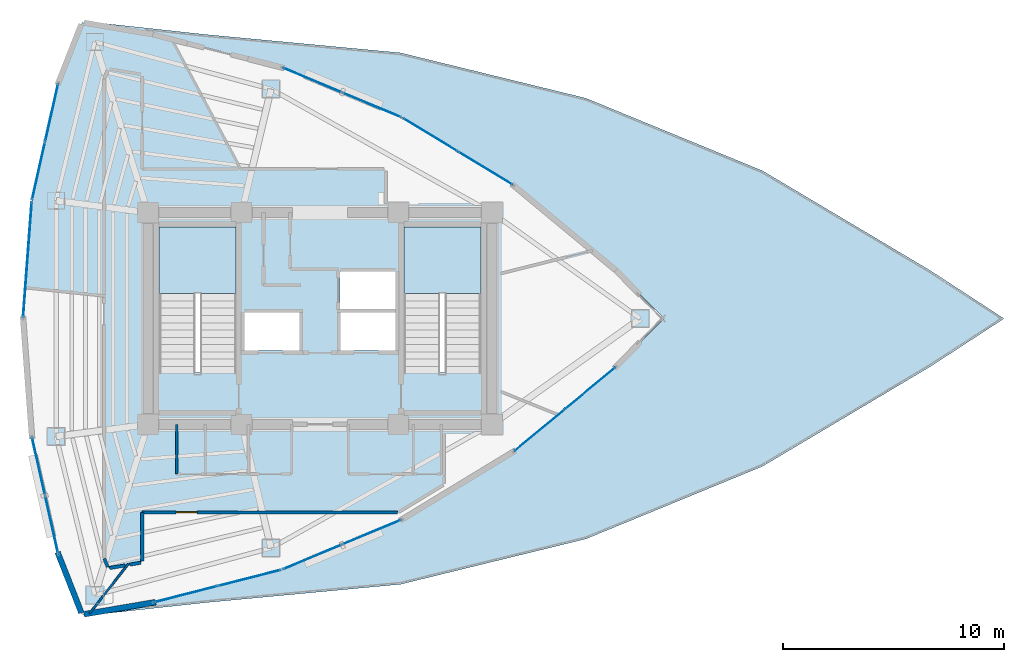
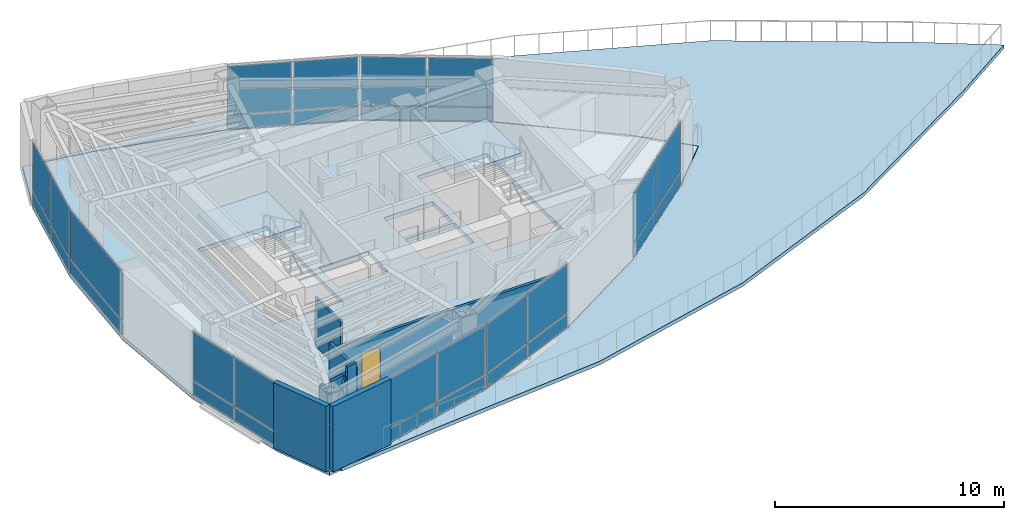
# One storey, part 11 of 16: 30 plates, 9 walls, 4 slabs, 1 door, 1 opening, 10 elements without a shape of their own.
"""IFC4 building model written with IfcOpenShell, lengths in metres."""

import ifcopenshell
import ifcopenshell.guid

model = None  # the IFC model being written
_history = None  # IfcOwnerHistory: only IFC2X3 demands one
_inside = {}  # id of a spatial element -> (the spatial element, [elements in it])
_under = {}  # id of a project, library or spatial element -> (it, [spatial elements below it])
_declared = {}  # id of a project -> (the project, [libraries it declares])
_typed = {}  # id of a type object -> (the type object, [elements of that type])
_made_of = {}  # id of a material, layer set ... -> (it, [elements and type objects made of it])


def new_model(schema):
    """Start an empty IFC model of exactly this schema.

    Asked for "IFC4X3", IfcOpenShell would pick the latest addendum, in which some entities
    have other attributes; the version numbers below select the first issue.
    IFC2X3 requires an IfcOwnerHistory on every rooted entity: one is made here for all.
    """
    global model, _history
    if schema == "IFC4X3":
        model = ifcopenshell.file(schema_version=(4, 3, 0, 0))
    else:
        model = ifcopenshell.file(schema=schema)
    _inside.clear()
    _under.clear()
    _declared.clear()
    _typed.clear()
    _made_of.clear()
    _history = None
    if model.schema == "IFC2X3":
        org = make("IfcOrganization", Name="unknown")
        user = make(
            "IfcPersonAndOrganization",
            ThePerson=make("IfcPerson", FamilyName="unknown"),
            TheOrganization=org,
        )
        app = make(
            "IfcApplication",
            ApplicationDeveloper=org,
            Version="unknown",
            ApplicationFullName="unknown",
            ApplicationIdentifier="unknown",
        )
        _history = make(
            "IfcOwnerHistory",
            OwningUser=user,
            OwningApplication=app,
            ChangeAction="ADDED",
            CreationDate=0,
        )
    return model


def make(cls, **values):
    """One entity of the class cls with the attributes given. An attribute that is None is left unset."""
    return model.create_entity(
        cls, **{name: value for name, value in values.items() if value is not None}
    )


def rooted(cls, **values):
    """An entity with a GlobalId (a new one), such as an element, a storey or a relation."""
    return make(cls, GlobalId=ifcopenshell.guid.new(), OwnerHistory=_history, **values)


def si_unit(unit_type, name, prefix=None):
    """IfcSIUnit, for example si_unit("LENGTHUNIT", "METRE", prefix="MILLI")."""
    return make("IfcSIUnit", UnitType=unit_type, Prefix=prefix, Name=name)


def assignment(units):
    """IfcUnitAssignment: the units of a project."""
    return None if units is None else make("IfcUnitAssignment", Units=units)


def point(xyz):
    """IfcCartesianPoint."""
    return None if xyz is None else make("IfcCartesianPoint", Coordinates=xyz)


def direction(xyz):
    """IfcDirection."""
    return None if xyz is None else make("IfcDirection", DirectionRatios=xyz)


def frame(location, z_axis=None, x_axis=None):
    """IfcAxis2Placement3D, a coordinate frame: its origin and axes. An axis left out is left unset."""
    return make(
        "IfcAxis2Placement3D",
        Location=point(location),
        Axis=direction(z_axis),
        RefDirection=direction(x_axis),
    )


def frame_2d(location, x_axis=None):
    """IfcAxis2Placement2D, a coordinate frame in the plane: its origin and x axis."""
    return make(
        "IfcAxis2Placement2D", Location=point(location), RefDirection=direction(x_axis)
    )


def origin():
    """The frame at (0, 0, 0) with its axes left unset."""
    return frame((0.0, 0.0, 0.0))


def origin_2d():
    """The frame at (0, 0) in the plane with its x axis left unset."""
    return frame_2d((0.0, 0.0))


def place(relative_to, where):
    """IfcLocalPlacement: puts the frame where relative to a parent placement (None: the world)."""
    return make(
        "IfcLocalPlacement", PlacementRelTo=relative_to, RelativePlacement=where
    )


def context(
    kind, dimensions, precision=None, world=None, true_north=None, identifier=None
):
    """IfcGeometricRepresentationContext, for example the 3D "Model" context."""
    return make(
        "IfcGeometricRepresentationContext",
        ContextIdentifier=identifier,
        ContextType=kind,
        CoordinateSpaceDimension=dimensions,
        Precision=precision,
        WorldCoordinateSystem=world,
        TrueNorth=true_north,
    )


def subcontext(parent, identifier, kind, view, scale=None):
    """IfcGeometricRepresentationSubContext, for example "Body" below "Model"."""
    return make(
        "IfcGeometricRepresentationSubContext",
        ContextIdentifier=identifier,
        ContextType=kind,
        ParentContext=parent,
        TargetScale=scale,
        TargetView=view,
    )


def project(units=None, contexts=None):
    """IfcProject with its units and contexts."""
    return rooted(
        "IfcProject",
        Name="project",
        RepresentationContexts=contexts,
        UnitsInContext=assignment(units),
    )


def spatial(cls, under=None, at=None, **own):
    """A site, building, storey or space (cls), placed at a placement, below another one or the project."""
    s = rooted(cls, ObjectPlacement=at, **own)
    if under is not None:
        _under.setdefault(under.id(), (under, []))[1].append(s)
    return s


def polyline(points):
    """IfcPolyline through the points."""
    return make("IfcPolyline", Points=[point(p) for p in points])


def profile(cls, at=None, kind="AREA", **sizes):
    """A parametric profile (cls). Its sizes go by their IFC names, for example OverallWidth=200.0."""
    return make(cls, ProfileType=kind, Position=at, **sizes)


def rectangle(**sizes):
    """IfcRectangleProfileDef."""
    return profile("IfcRectangleProfileDef", **sizes)


def outline(outer, holes=None, kind="AREA"):
    """IfcArbitraryClosedProfileDef: a profile drawn as a closed curve; with holes, ...WithVoids."""
    if holes is None:
        return make("IfcArbitraryClosedProfileDef", ProfileType=kind, OuterCurve=outer)
    return make(
        "IfcArbitraryProfileDefWithVoids",
        ProfileType=kind,
        OuterCurve=outer,
        InnerCurves=holes,
    )


def extrude(swept, where, along, depth):
    """IfcExtrudedAreaSolid: the profile swept, set in the frame where, extruded along a direction by depth."""
    return make(
        "IfcExtrudedAreaSolid",
        SweptArea=swept,
        Position=where,
        ExtrudedDirection=direction(along),
        Depth=depth,
    )


def shape(context_of_items, identifier, shape_type, items):
    """IfcShapeRepresentation: the items that make up one representation, for example the "Body"."""
    return make(
        "IfcShapeRepresentation",
        ContextOfItems=context_of_items,
        RepresentationIdentifier=identifier,
        RepresentationType=shape_type,
        Items=items,
    )


def material(Name=None, Category=None):
    """IfcMaterial."""
    return make("IfcMaterial", Name=Name, Category=Category)


def layer(
    of_material, thickness, ventilated=None, Name=None, Category=None, Priority=None
):
    """IfcMaterialLayer: one layer of a wall or slab, of a material (None: an air gap)."""
    return make(
        "IfcMaterialLayer",
        Material=of_material,
        LayerThickness=thickness,
        IsVentilated=ventilated,
        Name=Name,
        Category=Category,
        Priority=Priority,
    )


def layer_set(layers, Name=None):
    """IfcMaterialLayerSet."""
    return make("IfcMaterialLayerSet", MaterialLayers=layers, LayerSetName=Name)


def made_of(thing, what):
    """Note that an element or type object is made of a material, layer set ...; save() writes the relation."""
    if what is not None:
        _made_of.setdefault(what.id(), (what, []))[1].append(thing)
    return thing


def type_object(cls, material=None, **own):
    """A type object (cls), such as IfcWallType, which elements share."""
    return made_of(rooted(cls, **own), material)


def element(
    cls,
    number,
    at=None,
    inside=None,
    cuts=None,
    type_object=None,
    material=None,
    context=None,
    identifier="Body",
    shape_type=None,
    held_by="IfcProductDefinitionShape",
    body=None,
    shapes=None,
    **own,
):
    """One element of the class cls, such as IfcWall. Its Tag is "e" and its number.

    at: its placement. inside: the storey or other place that contains it. cuts: it is an
    opening in that element (IfcRelVoidsElement). A single representation is given by context,
    identifier, shape_type and body (its items); several are given by shapes. held_by: the class
    of the entity that holds the representations. save() writes the other relations.
    """
    e = rooted(cls, Tag="e%d" % number, ObjectPlacement=at, **own)
    if body is not None:
        shapes = [shape(context, identifier, shape_type, body)]
    if shapes is not None:
        e.Representation = make(held_by, Representations=shapes)
    if inside is not None:
        _inside.setdefault(inside.id(), (inside, []))[1].append(e)
    if cuts is not None:
        rooted(
            "IfcRelVoidsElement", RelatingBuildingElement=cuts, RelatedOpeningElement=e
        )
    if type_object is not None:
        _typed.setdefault(type_object.id(), (type_object, []))[1].append(e)
    return made_of(e, material)


def fill(opening, filler):
    """IfcRelFillsElement: the door or window that sits in an opening."""
    return rooted(
        "IfcRelFillsElement",
        RelatingOpeningElement=opening,
        RelatedBuildingElement=filler,
    )


def aggregate(whole, parts):
    """IfcRelAggregates: a whole, such as a stair, and the parts it consists of."""
    return rooted("IfcRelAggregates", RelatingObject=whole, RelatedObjects=parts)


def save(model, path):
    """Write the relations noted so far, then the file.

    IfcRelAggregates (storeys below a building ...), IfcRelContainedInSpatialStructure (elements
    in a storey), IfcRelDefinesByType, IfcRelAssociatesMaterial and IfcRelDeclares: one each for
    every whole, place, type object, material and project.
    """
    for whole, parts in _under.values():
        aggregate(whole, parts)
    for where, things in _inside.values():
        rooted(
            "IfcRelContainedInSpatialStructure",
            RelatedElements=things,
            RelatingStructure=where,
        )
    for kind, things in _typed.values():
        rooted("IfcRelDefinesByType", RelatedObjects=things, RelatingType=kind)
    for what, things in _made_of.values():
        rooted("IfcRelAssociatesMaterial", RelatedObjects=things, RelatingMaterial=what)
    for by, libraries in _declared.values():
        rooted("IfcRelDeclares", RelatingContext=by, RelatedDefinitions=libraries)
    model.write(path)


model = new_model("IFC4")

# Units and contexts
model_context = context("Model", 3, precision=1e-05, world=origin(), true_north=direction((0.0, 1.0)))
body_context = subcontext(model_context, "Body", "Model", "MODEL_VIEW")
ifc_project = project(units=[si_unit("LENGTHUNIT", "METRE"), si_unit("AREAUNIT", "SQUARE_METRE"), si_unit("VOLUMEUNIT", "CUBIC_METRE"), si_unit("PLANEANGLEUNIT", "RADIAN"), si_unit("MASSUNIT", "GRAM", prefix="KILO")], contexts=[model_context])

# Site, building, storey
site_placement = place(None, origin())
site = spatial("IfcSite", under=ifc_project, at=site_placement, CompositionType="ELEMENT")
building_placement = place(site_placement, origin())
building = spatial("IfcBuilding", under=site, at=building_placement, Name="Menara Vayukalpa", CompositionType="ELEMENT")
storey_placement = place(building_placement, frame((0.0, 0.0, 247.139892578125)))
storey = spatial("IfcBuildingStorey", under=building, at=storey_placement, Name="L62", CompositionType="ELEMENT", Elevation=247.139892578125)

# Curtain wall, plates
ifc_material_1 = material(Name="Anodised Terracotta Aluminium Alloy 6063-T6", Category="masonry")
ifc_layer_1 = layer(ifc_material_1, 0.1650390625)
ifc_layer_set_1 = layer_set([ifc_layer_1], Name="Anodised Terracotta Aluminium Alloy 6063-T6")
curtain_wall_type = type_object("IfcCurtainWallType", Name="CW-CW6", PredefinedType="USERDEFINED", material=ifc_layer_set_1)
curtain_wall_1_placement = place(storey_placement, origin())
curtain_wall_1 = element("IfcCurtainWall", 1, at=curtain_wall_1_placement, inside=storey, type_object=curtain_wall_type, Name="L62 Observation and Executive Curtain Wall CW6 04", ObjectType="UNITISED", PredefinedType="USERDEFINED")
ifc_material_2 = material(Name="Low-E Double Glazing", Category="glass")
ifc_layer_2 = layer(ifc_material_2, 0.033935546875)
ifc_layer_set_2 = layer_set([ifc_layer_2], Name="Low-E Double Glazing")
plate_type = type_object("IfcPlateType", Name="CWP-CW6", PredefinedType="CURTAIN_PANEL", material=ifc_layer_set_2)
plate_1_placement = place(storey_placement, frame((33.102783203125, 28.814208984375, 0.0751953125), z_axis=(0.0, 0.0, 1.0), x_axis=(-0.854667609532, 0.519175574558, 0.0)))
plate_1 = element("IfcPlate", 2, at=plate_1_placement, type_object=plate_type, Name="CW6 panel 1.1", PredefinedType="CURTAIN_PANEL", context=body_context, shape_type="SweptSolid", body=[
    extrude(rectangle(XDim=2.8486328125, YDim=0.033935546875, at=origin_2d()), origin(), (0.0, 0.0, 1.0), 0.6875),
])
plate_2_placement = place(storey_placement, frame((33.102783203125, 28.814208984375, 0.837646484375), z_axis=(0.0, 0.0, 1.0), x_axis=(-0.854667609532, 0.519175574558, 0.0)))
plate_2 = element("IfcPlate", 3, at=plate_2_placement, type_object=plate_type, Name="CW6 panel 1.2", PredefinedType="CURTAIN_PANEL", context=body_context, shape_type="SweptSolid", body=[
    extrude(rectangle(XDim=2.8486328125, YDim=0.033935546875, at=origin_2d()), origin(), (0.0, 0.0, 1.0), 2.58740234375),
])
plate_3_placement = place(storey_placement, frame((30.608154296875, 30.329345703125, 0.0751953125), z_axis=(0.0, 0.0, 1.0), x_axis=(-0.854667609532, 0.519175574558, 0.0)))
plate_3 = element("IfcPlate", 4, at=plate_3_placement, type_object=plate_type, Name="CW6 panel 2.1", PredefinedType="CURTAIN_PANEL", context=body_context, shape_type="SweptSolid", body=[
    extrude(rectangle(XDim=2.8486328125, YDim=0.033935546875, at=origin_2d()), origin(), (0.0, 0.0, 1.0), 0.6875),
])
plate_4_placement = place(storey_placement, frame((30.608154296875, 30.329345703125, 0.837646484375), z_axis=(0.0, 0.0, 1.0), x_axis=(-0.854667609532, 0.519175574558, 0.0)))
plate_4 = element("IfcPlate", 5, at=plate_4_placement, type_object=plate_type, Name="CW6 panel 2.2", PredefinedType="CURTAIN_PANEL", context=body_context, shape_type="SweptSolid", body=[
    extrude(rectangle(XDim=2.8486328125, YDim=0.033935546875, at=origin_2d()), origin(), (0.0, 0.0, 1.0), 2.58740234375),
])
aggregate(curtain_wall_1, [plate_1, plate_2, plate_3, plate_4])

curtain_wall_2_placement = place(storey_placement, origin())
curtain_wall_2 = element("IfcCurtainWall", 6, at=curtain_wall_2_placement, inside=storey, type_object=curtain_wall_type, Name="L62 Observation and Executive Curtain Wall CW6 05", ObjectType="UNITISED", PredefinedType="USERDEFINED")
plate_5_placement = place(storey_placement, frame((27.952392578125, 31.681884765625, 0.0751953125), z_axis=(0.0, 0.0, 1.0), x_axis=(-0.922540653927, 0.385899911703, 0.0)))
plate_5 = element("IfcPlate", 7, at=plate_5_placement, type_object=plate_type, Name="CW6 panel 1.1", PredefinedType="CURTAIN_PANEL", context=body_context, shape_type="SweptSolid", body=[
    extrude(rectangle(XDim=2.8486328125, YDim=0.033935546875, at=origin_2d()), origin(), (0.0, 0.0, 1.0), 0.6875),
])
plate_6_placement = place(storey_placement, frame((27.952392578125, 31.681884765625, 0.837646484375), z_axis=(0.0, 0.0, 1.0), x_axis=(-0.922540653927, 0.385899911703, 0.0)))
plate_6 = element("IfcPlate", 8, at=plate_6_placement, type_object=plate_type, Name="CW6 panel 1.2", PredefinedType="CURTAIN_PANEL", context=body_context, shape_type="SweptSolid", body=[
    extrude(rectangle(XDim=2.8486328125, YDim=0.033935546875, at=origin_2d()), origin(), (0.0, 0.0, 1.0), 2.58740234375),
])
plate_7_placement = place(storey_placement, frame((25.259765625, 32.808349609375, 0.0751953125), z_axis=(0.0, 0.0, 1.0), x_axis=(-0.922540653927, 0.385899911703, 0.0)))
plate_7 = element("IfcPlate", 9, at=plate_7_placement, type_object=plate_type, Name="CW6 panel 2.1", PredefinedType="CURTAIN_PANEL", context=body_context, shape_type="SweptSolid", body=[
    extrude(rectangle(XDim=2.8486328125, YDim=0.033935546875, at=origin_2d()), origin(), (0.0, 0.0, 1.0), 0.6875),
])
plate_8_placement = place(storey_placement, frame((25.259765625, 32.808349609375, 0.837646484375), z_axis=(0.0, 0.0, 1.0), x_axis=(-0.922540653927, 0.385899911703, 0.0)))
plate_8 = element("IfcPlate", 10, at=plate_8_placement, type_object=plate_type, Name="CW6 panel 2.2", PredefinedType="CURTAIN_PANEL", context=body_context, shape_type="SweptSolid", body=[
    extrude(rectangle(XDim=2.8486328125, YDim=0.033935546875, at=origin_2d()), origin(), (0.0, 0.0, 1.0), 2.58740234375),
])
aggregate(curtain_wall_2, [plate_5, plate_6, plate_7, plate_8])

curtain_wall_3_placement = place(storey_placement, origin())
curtain_wall_3 = element("IfcCurtainWall", 11, at=curtain_wall_3_placement, inside=storey, type_object=curtain_wall_type, Name="L62 Observation and Executive Curtain Wall CW6 10", ObjectType="UNITISED", PredefinedType="USERDEFINED")
plate_9_placement = place(storey_placement, frame((13.4375, 31.339599609375, 0.0751953125), z_axis=(0.0, 0.0, 1.0), x_axis=(-0.21951480033, -0.975609169922, 0.0)))
plate_9 = element("IfcPlate", 12, at=plate_9_placement, type_object=plate_type, Name="CW6 panel 1.1", PredefinedType="CURTAIN_PANEL", context=body_context, shape_type="SweptSolid", body=[
    extrude(rectangle(XDim=2.63525390625, YDim=0.033935546875, at=origin_2d()), origin(), (0.0, 0.0, 1.0), 0.6875),
])
plate_10_placement = place(storey_placement, frame((13.4375, 31.339599609375, 0.837646484375), z_axis=(0.0, 0.0, 1.0), x_axis=(-0.21951480033, -0.975609169922, 0.0)))
plate_10 = element("IfcPlate", 13, at=plate_10_placement, type_object=plate_type, Name="CW6 panel 1.2", PredefinedType="CURTAIN_PANEL", context=body_context, shape_type="SweptSolid", body=[
    extrude(rectangle(XDim=2.63525390625, YDim=0.033935546875, at=origin_2d()), origin(), (0.0, 0.0, 1.0), 2.58740234375),
])
plate_11_placement = place(storey_placement, frame((12.843505859375, 28.700439453125, 0.0751953125), z_axis=(0.0, 0.0, 1.0), x_axis=(-0.21951480033, -0.975609169922, 0.0)))
plate_11 = element("IfcPlate", 14, at=plate_11_placement, type_object=plate_type, Name="CW6 panel 2.1", PredefinedType="CURTAIN_PANEL", context=body_context, shape_type="SweptSolid", body=[
    extrude(rectangle(XDim=2.63525390625, YDim=0.033935546875, at=origin_2d()), origin(), (0.0, 0.0, 1.0), 0.6875),
])
plate_12_placement = place(storey_placement, frame((12.843505859375, 28.700439453125, 0.837646484375), z_axis=(0.0, 0.0, 1.0), x_axis=(-0.21951480033, -0.975609169922, 0.0)))
plate_12 = element("IfcPlate", 15, at=plate_12_placement, type_object=plate_type, Name="CW6 panel 2.2", PredefinedType="CURTAIN_PANEL", context=body_context, shape_type="SweptSolid", body=[
    extrude(rectangle(XDim=2.63525390625, YDim=0.033935546875, at=origin_2d()), origin(), (0.0, 0.0, 1.0), 2.58740234375),
])
aggregate(curtain_wall_3, [plate_9, plate_10, plate_11, plate_12])

curtain_wall_4_placement = place(storey_placement, origin())
curtain_wall_4 = element("IfcCurtainWall", 16, at=curtain_wall_4_placement, inside=storey, type_object=curtain_wall_type, Name="L62 Observation and Executive Curtain Wall CW6 11", ObjectType="UNITISED", PredefinedType="USERDEFINED")
plate_13_placement = place(storey_placement, frame((12.33837890625, 24.67333984375, 0.0751953125), z_axis=(0.0, 0.0, 1.0), x_axis=(-0.074789484574, -0.997199344663, 0.0)))
plate_13 = element("IfcPlate", 17, at=plate_13_placement, type_object=plate_type, Name="CW6 panel 1.1", PredefinedType="CURTAIN_PANEL", context=body_context, shape_type="SweptSolid", body=[
    extrude(rectangle(XDim=5.2216796875, YDim=0.033935546875, at=origin_2d()), origin(), (0.0, 0.0, 1.0), 0.6875),
])
plate_14_placement = place(storey_placement, frame((12.33837890625, 24.67333984375, 0.837646484375), z_axis=(0.0, 0.0, 1.0), x_axis=(-0.074789484574, -0.997199344663, 0.0)))
plate_14 = element("IfcPlate", 18, at=plate_14_placement, type_object=plate_type, Name="CW6 panel 1.2", PredefinedType="CURTAIN_PANEL", context=body_context, shape_type="SweptSolid", body=[
    extrude(rectangle(XDim=5.2216796875, YDim=0.033935546875, at=origin_2d()), origin(), (0.0, 0.0, 1.0), 2.58740234375),
])
aggregate(curtain_wall_4, [plate_13, plate_14])

curtain_wall_5_placement = place(storey_placement, origin())
curtain_wall_5 = element("IfcCurtainWall", 19, at=curtain_wall_5_placement, inside=storey, type_object=curtain_wall_type, Name="L62 Observation and Executive Curtain Wall CW6 13", ObjectType="UNITISED", PredefinedType="USERDEFINED")
plate_15_placement = place(storey_placement, frame((12.843505859375, 15.299560546875, 0.0751953125), z_axis=(0.0, 0.0, 1.0), x_axis=(0.21951480033, -0.975609169922, 0.0)))
plate_15 = element("IfcPlate", 20, at=plate_15_placement, type_object=plate_type, Name="CW6 panel 1.1", PredefinedType="CURTAIN_PANEL", context=body_context, shape_type="SweptSolid", body=[
    extrude(rectangle(XDim=2.63525390625, YDim=0.033935546875, at=origin_2d()), origin(), (0.0, 0.0, 1.0), 0.6875),
])
plate_16_placement = place(storey_placement, frame((12.843505859375, 15.299560546875, 0.837646484375), z_axis=(0.0, 0.0, 1.0), x_axis=(0.21951480033, -0.975609169922, 0.0)))
plate_16 = element("IfcPlate", 21, at=plate_16_placement, type_object=plate_type, Name="CW6 panel 1.2", PredefinedType="CURTAIN_PANEL", context=body_context, shape_type="SweptSolid", body=[
    extrude(rectangle(XDim=2.63525390625, YDim=0.033935546875, at=origin_2d()), origin(), (0.0, 0.0, 1.0), 2.58740234375),
])
plate_17_placement = place(storey_placement, frame((13.4375, 12.660400390625, 0.0751953125), z_axis=(0.0, 0.0, 1.0), x_axis=(0.21951480033, -0.975609169922, 0.0)))
plate_17 = element("IfcPlate", 22, at=plate_17_placement, type_object=plate_type, Name="CW6 panel 2.1", PredefinedType="CURTAIN_PANEL", context=body_context, shape_type="SweptSolid", body=[
    extrude(rectangle(XDim=2.63525390625, YDim=0.033935546875, at=origin_2d()), origin(), (0.0, 0.0, 1.0), 0.6875),
])
plate_18_placement = place(storey_placement, frame((13.4375, 12.660400390625, 0.837646484375), z_axis=(0.0, 0.0, 1.0), x_axis=(0.21951480033, -0.975609169922, 0.0)))
plate_18 = element("IfcPlate", 23, at=plate_18_placement, type_object=plate_type, Name="CW6 panel 2.2", PredefinedType="CURTAIN_PANEL", context=body_context, shape_type="SweptSolid", body=[
    extrude(rectangle(XDim=2.63525390625, YDim=0.033935546875, at=origin_2d()), origin(), (0.0, 0.0, 1.0), 2.58740234375),
])
aggregate(curtain_wall_5, [plate_15, plate_16, plate_17, plate_18])

curtain_wall_6_placement = place(storey_placement, origin())
curtain_wall_6 = element("IfcCurtainWall", 24, at=curtain_wall_6_placement, inside=storey, type_object=curtain_wall_type, Name="L62 Observation and Executive Curtain Wall CW6 16", ObjectType="UNITISED", PredefinedType="USERDEFINED")
plate_19_placement = place(storey_placement, frame((19.509765625, 9.500244140625, 0.0751953125), z_axis=(0.0, 0.0, 1.0), x_axis=(0.968983049096, 0.247127195113, 0.0)))
plate_19 = element("IfcPlate", 25, at=plate_19_placement, type_object=plate_type, Name="CW6 panel 1.1", PredefinedType="CURTAIN_PANEL", context=body_context, shape_type="SweptSolid", body=[
    extrude(rectangle(XDim=2.9140625, YDim=0.033935546875, at=origin_2d()), origin(), (0.0, 0.0, 1.0), 0.6875),
])
plate_20_placement = place(storey_placement, frame((19.509765625, 9.500244140625, 0.837646484375), z_axis=(0.0, 0.0, 1.0), x_axis=(0.968983049096, 0.247127195113, 0.0)))
plate_20 = element("IfcPlate", 26, at=plate_20_placement, type_object=plate_type, Name="CW6 panel 1.2", PredefinedType="CURTAIN_PANEL", context=body_context, shape_type="SweptSolid", body=[
    extrude(rectangle(XDim=2.9140625, YDim=0.033935546875, at=origin_2d()), origin(), (0.0, 0.0, 1.0), 2.58740234375),
])
plate_21_placement = place(storey_placement, frame((22.4013671875, 10.237548828125, 0.0751953125), z_axis=(0.0, 0.0, 1.0), x_axis=(0.968983049096, 0.247127195113, 0.0)))
plate_21 = element("IfcPlate", 27, at=plate_21_placement, type_object=plate_type, Name="CW6 panel 2.1", PredefinedType="CURTAIN_PANEL", context=body_context, shape_type="SweptSolid", body=[
    extrude(rectangle(XDim=2.9140625, YDim=0.033935546875, at=origin_2d()), origin(), (0.0, 0.0, 1.0), 0.6875),
])
plate_22_placement = place(storey_placement, frame((22.4013671875, 10.237548828125, 0.837646484375), z_axis=(0.0, 0.0, 1.0), x_axis=(0.968983049096, 0.247127195113, 0.0)))
plate_22 = element("IfcPlate", 28, at=plate_22_placement, type_object=plate_type, Name="CW6 panel 2.2", PredefinedType="CURTAIN_PANEL", context=body_context, shape_type="SweptSolid", body=[
    extrude(rectangle(XDim=2.9140625, YDim=0.033935546875, at=origin_2d()), origin(), (0.0, 0.0, 1.0), 2.58740234375),
])
aggregate(curtain_wall_6, [plate_19, plate_20, plate_21, plate_22])

curtain_wall_7_placement = place(storey_placement, origin())
curtain_wall_7 = element("IfcCurtainWall", 29, at=curtain_wall_7_placement, inside=storey, type_object=curtain_wall_type, Name="L62 Observation and Executive Curtain Wall CW6 17", ObjectType="UNITISED", PredefinedType="USERDEFINED")
plate_23_placement = place(storey_placement, frame((25.259765625, 11.191650390625, 0.0751953125), z_axis=(0.0, 0.0, 1.0), x_axis=(0.922540653927, 0.385899911703, 0.0)))
plate_23 = element("IfcPlate", 30, at=plate_23_placement, type_object=plate_type, Name="CW6 panel 1.1", PredefinedType="CURTAIN_PANEL", context=body_context, shape_type="SweptSolid", body=[
    extrude(rectangle(XDim=2.8486328125, YDim=0.033935546875, at=origin_2d()), origin(), (0.0, 0.0, 1.0), 0.6875),
])
plate_24_placement = place(storey_placement, frame((25.259765625, 11.191650390625, 0.837646484375), z_axis=(0.0, 0.0, 1.0), x_axis=(0.922540653927, 0.385899911703, 0.0)))
plate_24 = element("IfcPlate", 31, at=plate_24_placement, type_object=plate_type, Name="CW6 panel 1.2", PredefinedType="CURTAIN_PANEL", context=body_context, shape_type="SweptSolid", body=[
    extrude(rectangle(XDim=2.8486328125, YDim=0.033935546875, at=origin_2d()), origin(), (0.0, 0.0, 1.0), 2.58740234375),
])
plate_25_placement = place(storey_placement, frame((27.952392578125, 12.318115234375, 0.0751953125), z_axis=(0.0, 0.0, 1.0), x_axis=(0.922540653927, 0.385899911703, 0.0)))
plate_25 = element("IfcPlate", 32, at=plate_25_placement, type_object=plate_type, Name="CW6 panel 2.1", PredefinedType="CURTAIN_PANEL", context=body_context, shape_type="SweptSolid", body=[
    extrude(rectangle(XDim=2.8486328125, YDim=0.033935546875, at=origin_2d()), origin(), (0.0, 0.0, 1.0), 0.6875),
])
plate_26_placement = place(storey_placement, frame((27.952392578125, 12.318115234375, 0.837646484375), z_axis=(0.0, 0.0, 1.0), x_axis=(0.922540653927, 0.385899911703, 0.0)))
plate_26 = element("IfcPlate", 33, at=plate_26_placement, type_object=plate_type, Name="CW6 panel 2.2", PredefinedType="CURTAIN_PANEL", context=body_context, shape_type="SweptSolid", body=[
    extrude(rectangle(XDim=2.8486328125, YDim=0.033935546875, at=origin_2d()), origin(), (0.0, 0.0, 1.0), 2.58740234375),
])
aggregate(curtain_wall_7, [plate_23, plate_24, plate_25, plate_26])

curtain_wall_8_placement = place(storey_placement, origin())
curtain_wall_8 = element("IfcCurtainWall", 34, at=curtain_wall_8_placement, inside=storey, type_object=curtain_wall_type, Name="L62 Observation and Executive Curtain Wall CW6 19", ObjectType="UNITISED", PredefinedType="USERDEFINED")
plate_27_placement = place(storey_placement, frame((35.555419921875, 16.9365234375, 0.0751953125), z_axis=(0.0, 0.0, 1.0), x_axis=(0.769754387758, 0.638340177748, 0.0)))
plate_27 = element("IfcPlate", 35, at=plate_27_placement, type_object=plate_type, Name="CW6 panel 1.1", PredefinedType="CURTAIN_PANEL", context=body_context, shape_type="SweptSolid", body=[
    extrude(rectangle(XDim=2.9140625, YDim=0.033935546875, at=origin_2d()), origin(), (0.0, 0.0, 1.0), 0.6875),
])
plate_28_placement = place(storey_placement, frame((35.555419921875, 16.9365234375, 0.837646484375), z_axis=(0.0, 0.0, 1.0), x_axis=(0.769754387758, 0.638340177748, 0.0)))
plate_28 = element("IfcPlate", 36, at=plate_28_placement, type_object=plate_type, Name="CW6 panel 1.2", PredefinedType="CURTAIN_PANEL", context=body_context, shape_type="SweptSolid", body=[
    extrude(rectangle(XDim=2.9140625, YDim=0.033935546875, at=origin_2d()), origin(), (0.0, 0.0, 1.0), 2.58740234375),
])
plate_29_placement = place(storey_placement, frame((37.852294921875, 18.84130859375, 0.0751953125), z_axis=(0.0, 0.0, 1.0), x_axis=(0.769754387758, 0.638340177748, 0.0)))
plate_29 = element("IfcPlate", 37, at=plate_29_placement, type_object=plate_type, Name="CW6 panel 2.1", PredefinedType="CURTAIN_PANEL", context=body_context, shape_type="SweptSolid", body=[
    extrude(rectangle(XDim=2.9140625, YDim=0.033935546875, at=origin_2d()), origin(), (0.0, 0.0, 1.0), 0.6875),
])
plate_30_placement = place(storey_placement, frame((37.852294921875, 18.84130859375, 0.837646484375), z_axis=(0.0, 0.0, 1.0), x_axis=(0.769754387758, 0.638340177748, 0.0)))
plate_30 = element("IfcPlate", 38, at=plate_30_placement, type_object=plate_type, Name="CW6 panel 2.2", PredefinedType="CURTAIN_PANEL", context=body_context, shape_type="SweptSolid", body=[
    extrude(rectangle(XDim=2.9140625, YDim=0.033935546875, at=origin_2d()), origin(), (0.0, 0.0, 1.0), 2.58740234375),
])
aggregate(curtain_wall_8, [plate_27, plate_28, plate_29, plate_30])

# Slab
ifc_material_3 = material(Name="Concrete C40/50", Category="concrete")
ifc_layer_3 = layer(ifc_material_3, 0.219970703125)
ifc_layer_set_3 = layer_set([ifc_layer_3], Name="Concrete C40/50")
slab_type_1 = type_object("IfcSlabType", Name="SLB-FL220", PredefinedType="FLOOR", material=ifc_layer_set_3)
slab_1_placement = place(storey_placement, frame((0.0, 0.0, -0.219970703125)))
element("IfcSlab", 39, at=slab_1_placement, inside=storey, type_object=slab_type_1, Name="L62 Structural Floor Slab", PredefinedType="FLOOR", context=body_context, shape_type="SweptSolid", body=[
    extrude(outline(polyline([(39.02783203125, 19.816162109375), (41.171875, 22.0), (39.02783203125, 24.183837890625), (34.3798828125, 28.038330078125), (29.3310546875, 31.105224609375), (23.881103515625, 33.385009765625), (18.0302734375, 34.877197265625), (14.814208984375, 35.423095703125), (13.741943359375, 32.693359375), (12.5390625, 27.3466796875), (12.137939453125, 22.0), (12.5390625, 16.6533203125), (13.741943359375, 11.306640625), (14.814208984375, 8.576904296875), (18.0302734375, 9.122802734375), (23.881103515625, 10.614990234375), (29.3310546875, 12.894775390625), (34.3798828125, 15.961669921875), (39.02783203125, 19.816162109375)]), holes=[polyline([(21.800048828125, 19.550048828125), (21.800048828125, 26.14990234375), (18.300048828125, 26.14990234375), (18.300048828125, 19.550048828125), (21.800048828125, 19.550048828125)]), polyline([(32.89990234375, 19.550048828125), (32.89990234375, 26.14990234375), (29.39990234375, 26.14990234375), (29.39990234375, 19.550048828125), (32.89990234375, 19.550048828125)]), polyline([(22.179931640625, 20.550048828125), (24.679931640625, 20.550048828125), (24.679931640625, 22.27001953125), (22.179931640625, 22.27001953125), (22.179931640625, 20.550048828125)]), polyline([(26.52001953125, 20.550048828125), (29.02001953125, 20.550048828125), (29.02001953125, 22.27001953125), (26.52001953125, 22.27001953125), (26.52001953125, 20.550048828125)]), polyline([(26.52001953125, 22.419921875), (29.02001953125, 22.419921875), (29.02001953125, 24.139892578125), (26.52001953125, 24.139892578125), (26.52001953125, 22.419921875)])]), origin(), (0.0, 0.0, 1.0), 0.219970703125),
])

# Stair, slab
ifc_material_4 = material(Name="Precast Concrete C40/50", Category="concrete")
stair_type = type_object("IfcStairType", Name="STR-T04", PredefinedType="DOUBLE_RETURN_STAIR", material=ifc_material_4)
stair_1_placement = place(storey_placement, origin())
stair_1 = element("IfcStair", 40, at=stair_1_placement, inside=storey, type_object=stair_type, Name="L62 Core Exit Stair ST-1", PredefinedType="DOUBLE_RETURN_STAIR")
ifc_material_5 = material(Name="Precast Concrete C40/50", Category="concrete")
ifc_layer_4 = layer(ifc_material_5, 0.199951171875)
ifc_layer_set_4 = layer_set([ifc_layer_4], Name="Precast Concrete C40/50")
slab_type_2 = type_object("IfcSlabType", Name="SLB-LND200", PredefinedType="LANDING", material=ifc_layer_set_4)
slab_2_placement = place(storey_placement, frame((0.0, 0.0, 1.66015625)))
slab_2 = element("IfcSlab", 41, at=slab_2_placement, type_object=slab_type_2, Name="ST-1 landing 1", PredefinedType="LANDING", context=body_context, shape_type="SweptSolid", body=[
    extrude(outline(polyline([(21.800048828125, 23.1298828125), (21.800048828125, 26.14990234375), (18.300048828125, 26.14990234375), (18.300048828125, 23.1298828125), (21.800048828125, 23.1298828125)])), origin(), (0.0, 0.0, 1.0), 0.199951171875),
])
aggregate(stair_1, [slab_2])

stair_2_placement = place(storey_placement, origin())
stair_2 = element("IfcStair", 42, at=stair_2_placement, inside=storey, type_object=stair_type, Name="L62 Core Exit Stair ST-2", PredefinedType="DOUBLE_RETURN_STAIR")
slab_3_placement = place(storey_placement, frame((0.0, 0.0, 1.66015625)))
slab_3 = element("IfcSlab", 43, at=slab_3_placement, type_object=slab_type_2, Name="ST-2 landing 1", PredefinedType="LANDING", context=body_context, shape_type="SweptSolid", body=[
    extrude(outline(polyline([(32.89990234375, 23.1298828125), (32.89990234375, 26.14990234375), (29.39990234375, 26.14990234375), (29.39990234375, 23.1298828125), (32.89990234375, 23.1298828125)])), origin(), (0.0, 0.0, 1.0), 0.199951171875),
])
aggregate(stair_2, [slab_3])

# Slab
ifc_material_6 = material(Name="Concrete C40/50", Category="concrete")
ifc_layer_5 = layer(ifc_material_6, 0.199951171875)
ifc_layer_set_5 = layer_set([ifc_layer_5], Name="Concrete C40/50")
slab_type_3 = type_object("IfcSlabType", Name="SLB-TR200", PredefinedType="FLOOR", material=ifc_layer_set_5)
slab_4_placement = place(storey_placement, frame((0.0, 0.0, -0.199951171875)))
element("IfcSlab", 44, at=slab_4_placement, inside=storey, type_object=slab_type_3, Name="L62 Public Observation Skywalk Terrace", PredefinedType="FLOOR", context=body_context, shape_type="SweptSolid", body=[
    extrude(outline(polyline([(15.41748046875, 35.423095703125), (20.444580078125, 34.877197265625), (29.250732421875, 34.0498046875), (37.656005859375, 31.991943359375), (45.660400390625, 28.703369140625), (53.263427734375, 24.183837890625), (56.61474609375, 22.0), (53.263427734375, 19.816162109375), (45.660400390625, 15.296630859375), (37.656005859375, 12.008056640625), (29.250732421875, 9.9501953125), (20.444580078125, 9.122802734375), (15.41748046875, 8.576904296875), (15.371826171875, 8.651123046875), (18.033447265625, 9.10302734375), (18.03515625, 9.103515625), (23.885986328125, 10.595703125), (23.888916015625, 10.596435546875), (29.338623046875, 12.876220703125), (29.340087890625, 12.876953125), (29.34130859375, 12.877685546875), (34.390380859375, 15.944580078125), (34.392578125, 15.9462890625), (39.04052734375, 19.80078125), (39.0419921875, 19.802001953125), (41.186279296875, 21.986083984375), (41.1875, 21.9873046875), (41.188720703125, 21.989013671875), (41.189697265625, 21.99072265625), (41.1904296875, 21.992431640625), (41.191162109375, 21.994384765625), (41.19140625, 21.99609375), (41.19189453125, 21.998046875), (41.19189453125, 22.0), (41.19189453125, 22.001953125), (41.19140625, 22.00390625), (41.191162109375, 22.005615234375), (41.1904296875, 22.007568359375), (41.189697265625, 22.00927734375), (41.188720703125, 22.010986328125), (41.1875, 22.0126953125), (41.186279296875, 22.013916015625), (39.0419921875, 24.197998046875), (39.04052734375, 24.19921875), (34.392578125, 28.0537109375), (34.390380859375, 28.055419921875), (29.34130859375, 31.122314453125), (29.340087890625, 31.123046875), (29.338623046875, 31.123779296875), (23.888916015625, 33.403564453125), (23.885986328125, 33.404296875), (18.03515625, 34.896484375), (18.033447265625, 34.89697265625), (15.371826171875, 35.348876953125), (15.41748046875, 35.423095703125)])), origin(), (0.0, 0.0, 1.0), 0.199951171875),
])

# Walls
ifc_material_7 = material(Name="Insulated Precast Concrete C40/50", Category="concrete")
ifc_layer_6 = layer(ifc_material_7, 0.260009765625)
ifc_layer_set_6 = layer_set([ifc_layer_6], Name="Insulated Precast Concrete C40/50")
wall_type_1 = type_object("IfcWallType", Name="WAL-EXT260", PredefinedType="PARTITIONING", material=ifc_layer_set_6)
wall_1_placement = place(storey_placement, frame((14.7822265625, 8.658203125, 0.0), z_axis=(0.0, 0.0, 1.0), x_axis=(-0.365529693114, 0.930799679551, 0.0)))
element("IfcWall", 45, at=wall_1_placement, inside=storey, type_object=wall_type_1, Name="L62 Perimeter Terracotta Pier Wall 14", PredefinedType="PARTITIONING", context=body_context, shape_type="SweptSolid", body=[
    extrude(rectangle(XDim=2.95556640625, YDim=0.260009765625, at=frame_2d((1.477783203125, 0.0))), origin(), (0.0, 0.0, 1.0), 3.5),
])
wall_2_placement = place(storey_placement, frame((18.1435546875, 9.14208984375, 0.0), z_axis=(0.0, 0.0, 1.0), x_axis=(-0.985885871317, -0.167418782513, 0.0)))
element("IfcWall", 46, at=wall_2_placement, inside=storey, type_object=wall_type_1, Name="L62 Perimeter Terracotta Pier Wall 15", PredefinedType="PARTITIONING", context=body_context, shape_type="SweptSolid", body=[
    extrude(rectangle(XDim=3.289794921875, YDim=0.260009765625, at=frame_2d((1.64501953125, 0.0))), origin(), (0.0, 0.0, 1.0), 3.5),
])
ifc_material_8 = material(Name="Glazed Demountable Office Partition", Category="glass")
ifc_layer_7 = layer(ifc_material_8, 0.094970703125)
ifc_layer_set_7 = layer_set([ifc_layer_7], Name="Glazed Demountable Office Partition")
wall_type_2 = type_object("IfcWallType", Name="WAL-PT100", PredefinedType="PARTITIONING", material=ifc_layer_set_7)
wall_3_placement = place(storey_placement, frame((16.91259765625, 10.880615234375, 0.0), z_axis=(0.0, 0.0, 1.0), x_axis=(-0.615662236592, -0.788010158839, 0.0)))
element("IfcWall", 47, at=wall_3_placement, inside=storey, type_object=wall_type_2, Name="L62 Interior Partition IW-L62-RDIV04", PredefinedType="PARTITIONING", context=body_context, shape_type="SweptSolid", body=[
    extrude(rectangle(XDim=2.8642578125, YDim=0.094970703125, at=frame_2d((1.43212890625, 0.0))), origin(), (0.0, 0.0, 1.0), 2.980224609375),
])
ifc_material_9 = material(Name="Acoustic Mineral Stud Partition", Category="masonry")
ifc_layer_8 = layer(ifc_material_9, 0.110107421875)
ifc_layer_set_8 = layer_set([ifc_layer_8], Name="Acoustic Mineral Stud Partition")
wall_type_3 = type_object("IfcWallType", Name="WAL-PT110", PredefinedType="PARTITIONING", material=ifc_layer_set_8)
wall_4_placement = place(storey_placement, frame((19.10009765625, 14.949951171875, 0.0), z_axis=(0.0, 0.0, 1.0), x_axis=(0.0, 1.0, 0.0)))
element("IfcWall", 48, at=wall_4_placement, inside=storey, type_object=wall_type_3, Name="L62 Interior Partition IW-L62-SVCD-01", PredefinedType="PARTITIONING", context=body_context, shape_type="SweptSolid", body=[
    extrude(rectangle(XDim=2.25, YDim=0.110107421875, at=frame_2d((1.125, 0.0))), origin(), (0.0, 0.0, 1.0), 2.630126953125),
])
ifc_material_10 = material(Name="Gypsum Drywall Acoustic Stud Assembly", Category="masonry")
ifc_layer_9 = layer(ifc_material_10, 0.14501953125)
ifc_layer_set_9 = layer_set([ifc_layer_9], Name="Gypsum Drywall Acoustic Stud Assembly")
wall_type_4 = type_object("IfcWallType", Name="WAL-PT150", PredefinedType="PARTITIONING", material=ifc_layer_set_9)
wall_5_placement = place(storey_placement, frame((15.825439453125, 11.116943359375, 0.0), z_axis=(0.0, 0.0, 1.0), x_axis=(0.365633948196, -0.930758731319, 0.0)))
element("IfcWall", 49, at=wall_5_placement, inside=storey, type_object=wall_type_4, Name="L62 Interior Partition IW-L62-CRM01-2", PredefinedType="PARTITIONING", context=body_context, shape_type="SweptSolid", body=[
    extrude(rectangle(XDim=0.409912109375, YDim=0.14501953125, at=frame_2d((0.205078125, 0.0))), origin(), (0.0, 0.0, 1.0), 2.780029296875),
])
wall_6_placement = place(storey_placement, frame((16.063232421875, 10.685546875, 0.0), z_axis=(0.0, 0.0, 1.0), x_axis=(0.985869455419, 0.167515422787, 0.0)))
element("IfcWall", 50, at=wall_6_placement, inside=storey, type_object=wall_type_4, Name="L62 Interior Partition IW-L62-CRM01-3", PredefinedType="PARTITIONING", context=body_context, shape_type="SweptSolid", body=[
    extrude(rectangle(XDim=0.711181640625, YDim=0.14501953125, at=frame_2d((0.35546875, 0.0))), origin(), (0.0, 0.0, 1.0), 3.130126953125),
])
wall_7_placement = place(storey_placement, frame((16.968994140625, 10.83935546875, 0.0), z_axis=(0.0, 0.0, 1.0), x_axis=(0.985873186984, 0.167493460131, 0.0)))
element("IfcWall", 51, at=wall_7_placement, inside=storey, type_object=wall_type_4, Name="L62 Interior Partition IW-L62-CRM03-1", PredefinedType="PARTITIONING", context=body_context, shape_type="SweptSolid", body=[
    extrude(rectangle(XDim=0.51171875, YDim=0.14501953125, at=frame_2d((0.255859375, 0.0))), origin(), (0.0, 0.0, 1.0), 3.5),
])
wall_8_placement = place(storey_placement, frame((17.5400390625, 11.00390625, 0.0), z_axis=(0.0, 0.0, 1.0), x_axis=(0.0, 1.0, 0.0)))
element("IfcWall", 52, at=wall_8_placement, inside=storey, type_object=wall_type_4, Name="L62 Interior Partition IW-L62-CRM03-2", PredefinedType="PARTITIONING", context=body_context, shape_type="SweptSolid", body=[
    extrude(rectangle(XDim=2.2060546875, YDim=0.14501953125, at=frame_2d((1.10302734375, 0.0))), origin(), (0.0, 0.0, 1.0), 3.130126953125),
])

# Wall, opening, door
wall_9_placement = place(storey_placement, frame((17.5400390625, 13.2099609375, 0.0), z_axis=(0.0, 0.0, 1.0), x_axis=(1.0, 0.0, 0.0)))
wall_9 = element("IfcWall", 53, at=wall_9_placement, inside=storey, type_object=wall_type_4, Name="L62 Interior Partition IW-L62-CRM03-3", PredefinedType="PARTITIONING", context=body_context, shape_type="SweptSolid", body=[
    extrude(rectangle(XDim=11.56982421875, YDim=0.14501953125, at=frame_2d((5.784912109375, 0.0))), origin(), (0.0, 0.0, 1.0), 2.780029296875),
])
opening_placement = place(wall_9_placement, frame((1.53759765625, 0.0, 0.0)))
opening = element("IfcOpeningElement", 54, at=opening_placement, cuts=wall_9, Name="Opening ID5", PredefinedType="OPENING", context=body_context, shape_type="SweptSolid", body=[
    extrude(rectangle(XDim=0.949951171875, YDim=2.06005859375, at=frame_2d((0.47509765625, 1.030029296875))), frame((0.0, 0.08251953125, 0.0), z_axis=(0.0, -1.0, 0.0), x_axis=(1.0, 0.0, 0.0)), (0.0, 0.0, 1.0), 0.1650390625),
])
ifc_material_11 = material(Name="Acoustic Hardwood Veneer Timber Door", Category="wood")
door_type = type_object("IfcDoorType", Name="DR-INT95", OperationType="NOTDEFINED", PredefinedType="DOOR", material=ifc_material_11)
door_placement = place(opening_placement, origin())
door = element("IfcDoor", 55, at=door_placement, inside=storey, type_object=door_type, Name="L62 Interior Door DR-L62-RM03", OperationType="SINGLE_SWING_RIGHT", OverallHeight=2.06005859375, OverallWidth=0.949951171875, PredefinedType="DOOR", context=body_context, shape_type="SweptSolid", body=[
    extrude(rectangle(XDim=0.949951171875, YDim=2.06005859375, at=frame_2d((0.47509765625, 1.030029296875))), frame((0.0, 0.02490234375, 0.0), z_axis=(0.0, -1.0, 0.0), x_axis=(1.0, 0.0, 0.0)), (0.0, 0.0, 1.0), 0.050048828125),
])
fill(opening, door)

save(model, "model.ifc")
